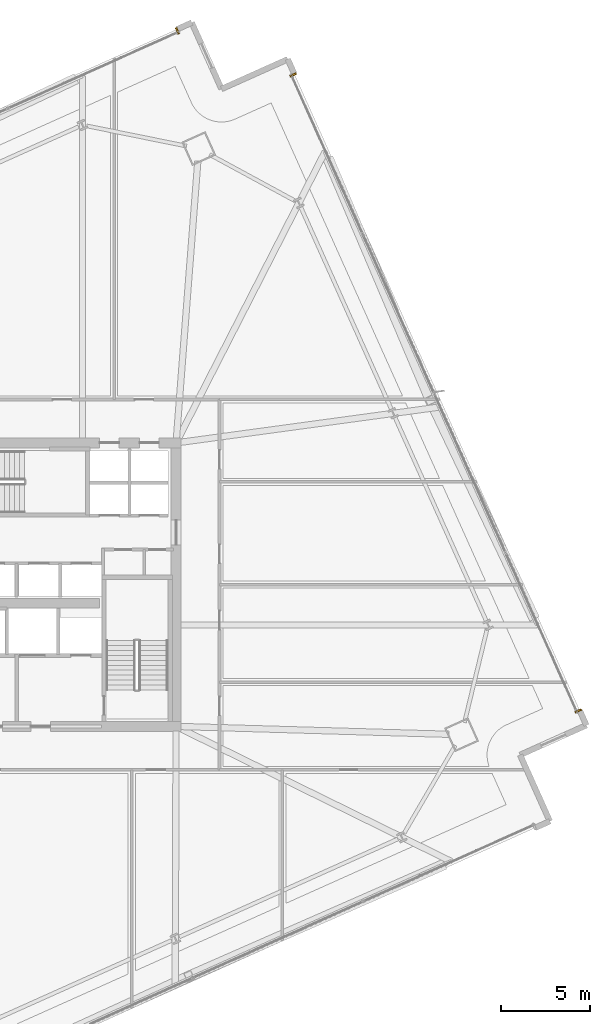
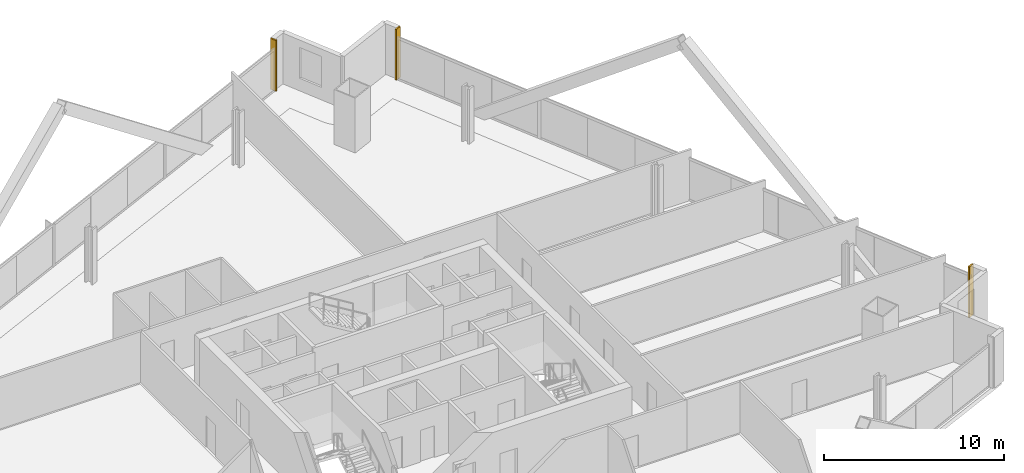
# One storey, part 38 of 38: 3 coverings.
"""IFC4 building model written with IfcOpenShell, lengths in metres."""

from ifc_helpers import new_model, si_unit, direction, frame, origin, origin_2d, place, context, subcontext, project, spatial, rectangle, extrude, source, transform, mapped, material, layer, layer_set, type_object, element, save


model = new_model("IFC4")

# Units and contexts
model_context = context("Model", 3, precision=1e-05, world=origin(), true_north=direction((0.0, 1.0)))
body_context = subcontext(model_context, "Body", "Model", "MODEL_VIEW")
ifc_project = project(units=[si_unit("LENGTHUNIT", "METRE"), si_unit("AREAUNIT", "SQUARE_METRE"), si_unit("VOLUMEUNIT", "CUBIC_METRE"), si_unit("PLANEANGLEUNIT", "RADIAN"), si_unit("MASSUNIT", "GRAM", prefix="KILO")], contexts=[model_context])

# Site, building, storey
site_placement = place(None, origin())
site = spatial("IfcSite", under=ifc_project, at=site_placement, CompositionType="ELEMENT")
building_placement = place(site_placement, origin())
building = spatial("IfcBuilding", under=site, at=building_placement, Name="Haldenkirk Collegiate Tower", CompositionType="ELEMENT")
storey_placement = place(building_placement, frame((0.0, 0.0, 109.199951171875)))
storey = spatial("IfcBuildingStorey", under=building, at=storey_placement, Name="L26", CompositionType="ELEMENT", Elevation=109.199951171875)

# Coverings
ifc_material = material(Name="Anodised architectural bronze aluminium", Category="aluminium")
ifc_layer = layer(ifc_material, 0.06005859375)
ifc_layer_set = layer_set([ifc_layer], Name="Anodised architectural bronze aluminium")
covering_type = type_object("IfcCoveringType", Name="COV-CLAD-BRONZE-60", PredefinedType="CLADDING", material=ifc_layer_set)
shared_shape = source(origin(), body_context, "Body", "SweptSolid", [
    extrude(rectangle(XDim=0.10009765625, YDim=0.3798828125, at=origin_2d()), origin(), (0.0, 0.0, 1.0), 3.449951171875),
])
for number, where, z_axis, x_axis, name in (
    (1, (51.604248046875, 54.772216796875, 0.0), (0.0, 0.0, 1.0), (0.409126902895, -0.912477494148, 0.0), "L26 recessed curtain-wall bronze jamb closure EJL"),
    (2, (67.69921875, 18.87548828125, 0.0), (0.0, 0.0, 1.0), (0.409126902895, -0.912477494148, 0.0), "L26 recessed curtain-wall bronze jamb closure EJR"),
    (3, (45.075439453125, 57.2587890625, 0.0), (0.0, 0.0, 1.0), (0.912477494148, 0.409126902895, 0.0), "L26 recessed curtain-wall bronze jamb closure NJR"),
):
    element("IfcCovering", number, at=place(storey_placement, frame(where, z_axis=z_axis, x_axis=x_axis)), inside=storey, type_object=covering_type, Name=name, PredefinedType="CLADDING", context=body_context, shape_type="MappedRepresentation", body=[
        mapped(shared_shape, transform((0.0, 0.0, 0.0), x_axis=(1.0, 0.0, 0.0), y_axis=(0.0, 1.0, 0.0), z_axis=(0.0, 0.0, 1.0), scale=1.0)),
    ])

save(model, "model.ifc")
